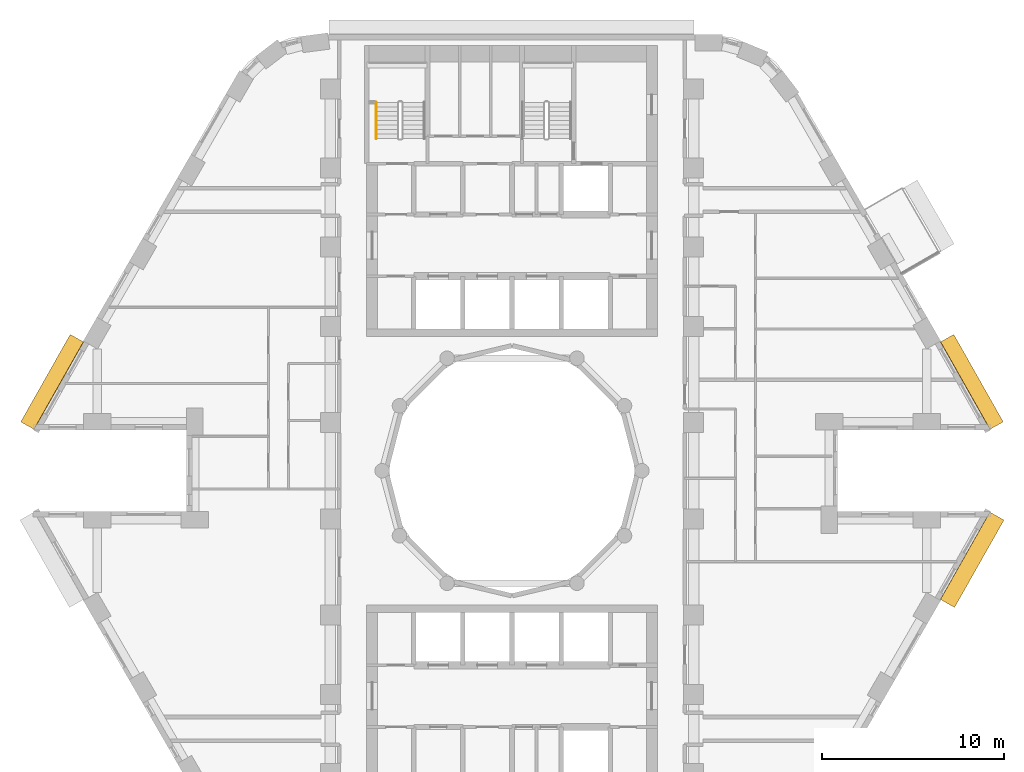
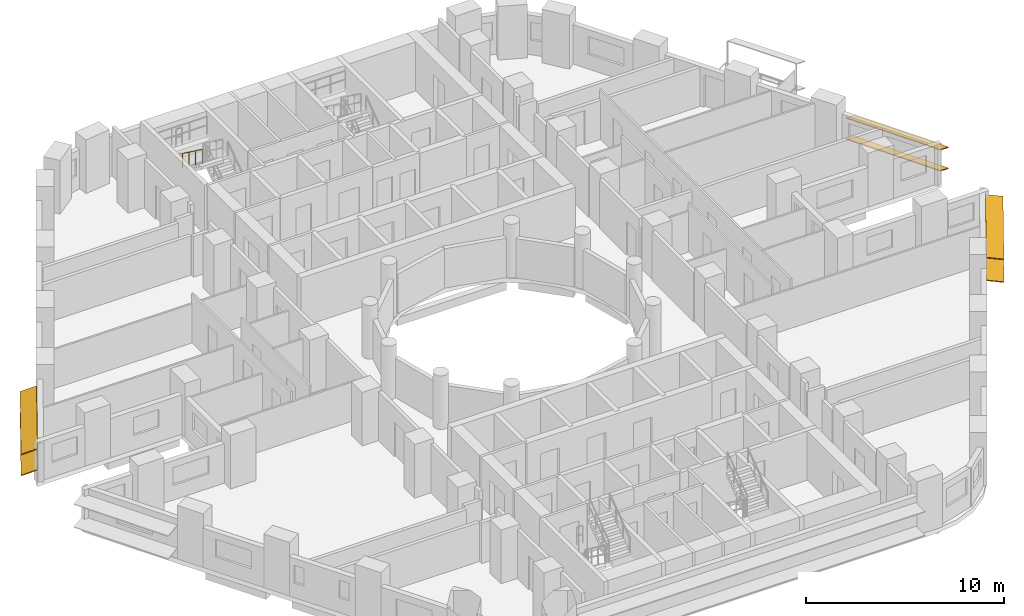
# One storey, part 12 of 13: 6 shading devices, 1 railing.
"""IFC4 building model written with IfcOpenShell, lengths in metres."""

from ifc_helpers import new_model, si_unit, direction, frame, origin, origin_2d, place, context, subcontext, project, spatial, rectangle, circle, extrude, material, material_profile, profile_set, type_object, element, save


model = new_model("IFC4")

# Units and contexts
model_context = context("Model", 3, precision=1e-05, world=origin(), true_north=direction((0.0, 1.0)))
body_context = subcontext(model_context, "Body", "Model", "MODEL_VIEW")
ifc_project = project(units=[si_unit("LENGTHUNIT", "METRE"), si_unit("AREAUNIT", "SQUARE_METRE"), si_unit("VOLUMEUNIT", "CUBIC_METRE"), si_unit("PLANEANGLEUNIT", "RADIAN"), si_unit("MASSUNIT", "GRAM", prefix="KILO")], contexts=[model_context])

# Site, building, storey
site_placement = place(None, origin())
site = spatial("IfcSite", under=ifc_project, at=site_placement, CompositionType="ELEMENT")
building_placement = place(site_placement, origin())
building = spatial("IfcBuilding", under=site, at=building_placement, Name="Nakaniwa Court", CompositionType="ELEMENT")
storey_placement = place(building_placement, frame((0.0, 0.0, 61.199951171875)))
storey = spatial("IfcBuildingStorey", under=building, at=storey_placement, Name="L16", CompositionType="ELEMENT", Elevation=61.199951171875)

# Shading devices
ifc_material_1 = material(Name="Perforated charcoal ceramic louvre blade")
ifc_material_profile = material_profile(ifc_material_1, rectangle(XDim=0.89990234375, YDim=0.050048828125, at=origin_2d()), Name="Perforated ceramic louvre blade")
ifc_profile_set = profile_set([ifc_material_profile], Name="Perforated charcoal ceramic louvre blade")
shading_device_type = type_object("IfcShadingDeviceType", Name="Perforated ceramic louvre blade", PredefinedType="JALOUSIE", material=ifc_profile_set)
for number, where, z_axis, x_axis, name in (
    (1, (106.662353515625, 82.480224609375, 0.550048828125), (-0.492342539441, 0.870401530247, 0.0), (-0.80472628244, -0.455193342019, 0.38107037635), "L16 perforated ceramic louvre blade w02 1"),
    (2, (106.662353515625, 82.480224609375, 1.845458984375), (-0.492342539441, 0.870401530247, 0.0), (-0.80472628244, -0.455193342019, 0.38107037635), "L16 perforated ceramic louvre blade w02 2"),
    (3, (56.05859375, 87.29052734375, 0.550048828125), (-0.492342539441, -0.870401530247, 0.0), (0.80472628244, -0.455193342019, 0.38107037635), "L16 perforated ceramic louvre blade w14 1"),
    (4, (56.05859375, 87.29052734375, 1.845458984375), (-0.492342539441, -0.870401530247, 0.0), (0.80472628244, -0.455193342019, 0.38107037635), "L16 perforated ceramic louvre blade w14 2"),
    (5, (103.962158203125, 72.69775390625, 0.550048828125), (0.492342539441, 0.870401530247, 0.0), (-0.86275552304, 0.488017576221, 0.132256390257), "L16 perforated ceramic louvre blade w32 1"),
    (6, (103.962158203125, 72.69775390625, 1.955810546875), (0.492342539441, 0.870401530247, 0.0), (-0.86275552304, 0.488017576221, 0.132256390257), "L16 perforated ceramic louvre blade w32 2"),
):
    element("IfcShadingDevice", number, at=place(storey_placement, frame(where, z_axis=z_axis, x_axis=x_axis)), inside=storey, type_object=shading_device_type, Name=name, PredefinedType="JALOUSIE", context=body_context, shape_type="SweptSolid", body=[
        extrude(rectangle(XDim=0.89990234375, YDim=0.050048828125, at=origin_2d()), origin(), (0.0, 0.0, 1.0), 5.526611328125),
    ])

# Railing
ifc_material_2 = material(Name="Black powder coated steel handrail", Category="steel")
railing_type = type_object("IfcRailingType", Name="Stair handrail 900", PredefinedType="HANDRAIL", material=ifc_material_2)
railing_placement = place(storey_placement, frame((72.52490234375, 100.27490234375, 1.83349609375)))
element("IfcRailing", 7, at=railing_placement, inside=storey, type_object=railing_type, Name="L16 ST1 stair handrail 2", PredefinedType="HANDRAIL", context=body_context, shape_type="SweptSolid", body=[
    extrude(circle(Radius=0.02392578125, at=origin_2d()), frame((0.0, 0.0, 0.8759765625), z_axis=(0.0, -0.806426902644, 0.591333789573), x_axis=(1.0, 0.0, 0.0)), (0.0, 0.0, 1.0), 2.47998046875),
    extrude(circle(Radius=0.02099609375, at=origin_2d()), origin(), (0.0, 0.0, 1.0), 0.851806640625),
    extrude(circle(Radius=0.02099609375, at=origin_2d()), frame((0.0, -0.666748046875, 0.48876953125)), (0.0, 0.0, 1.0), 0.851806640625),
    extrude(circle(Radius=0.02099609375, at=origin_2d()), frame((0.0, -1.333251953125, 0.977783203125)), (0.0, 0.0, 1.0), 0.851806640625),
    extrude(circle(Radius=0.02099609375, at=origin_2d()), frame((0.0, -2.0, 1.466552734375)), (0.0, 0.0, 1.0), 0.851806640625),
])

save(model, "model.ifc")
